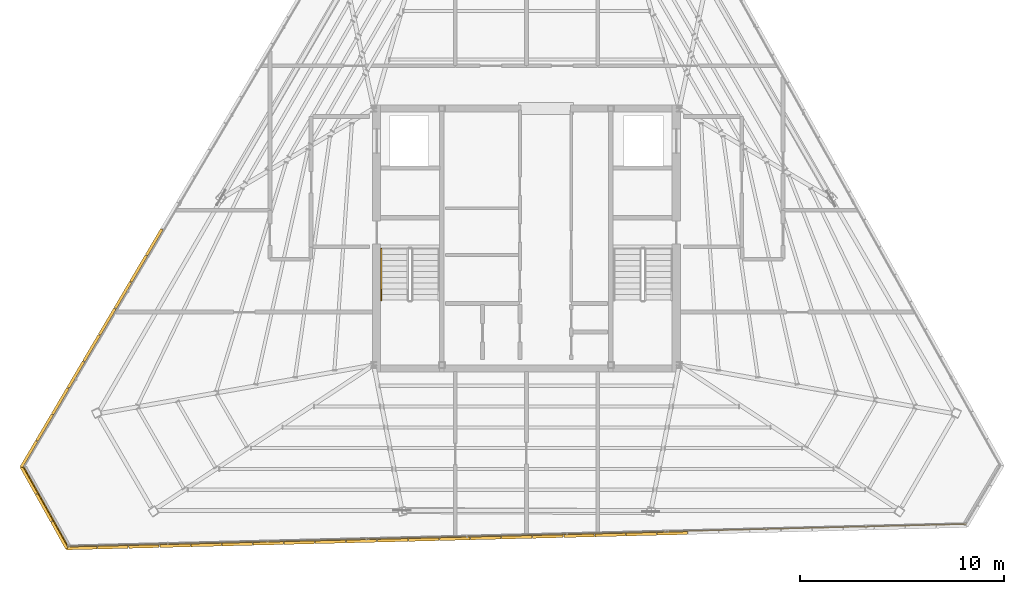
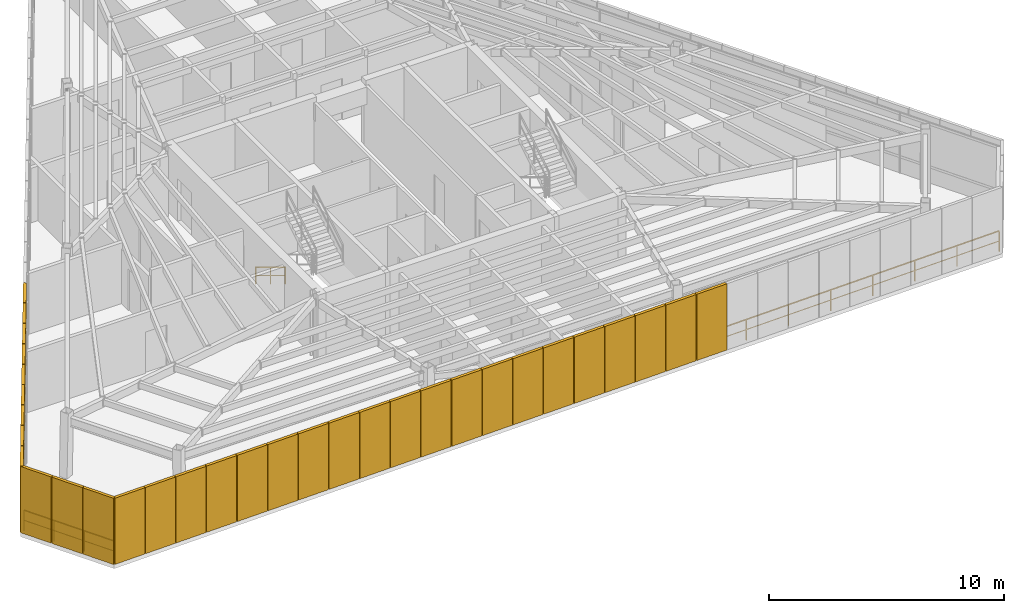
# One storey, part 46 of 48: 32 shading devices, 3 railings.
"""IFC4 building model written with IfcOpenShell, lengths in metres."""

from ifc_helpers import new_model, si_unit, direction, frame, origin, origin_2d, place, context, subcontext, project, spatial, rectangle, extrude, source, transform, mapped, material, layer, layer_set, type_object, type_shapes, element, save


model = new_model("IFC4")

# Units and contexts
model_context = context("Model", 3, precision=1e-05, world=origin(), true_north=direction((0.0, 1.0)))
body_context = subcontext(model_context, "Body", "Model", "MODEL_VIEW")
ifc_project = project(units=[si_unit("LENGTHUNIT", "METRE"), si_unit("AREAUNIT", "SQUARE_METRE"), si_unit("VOLUMEUNIT", "CUBIC_METRE"), si_unit("PLANEANGLEUNIT", "RADIAN"), si_unit("MASSUNIT", "GRAM", prefix="KILO")], contexts=[model_context])

# Site, building, storey
site_placement = place(None, origin())
site = spatial("IfcSite", under=ifc_project, at=site_placement, CompositionType="ELEMENT")
building_placement = place(site_placement, origin())
building = spatial("IfcBuilding", under=site, at=building_placement, Name="Caelisora Broadcast Tower", CompositionType="ELEMENT")
storey_placement = place(building_placement, frame((0.0, 0.0, 300.0)))
storey = spatial("IfcBuildingStorey", under=building, at=storey_placement, Name="L79", CompositionType="ELEMENT", Elevation=300.0)

# Railings
ifc_material_1 = material(Name="Galvanised Steel Safety Guardrail", Category="steel")
ifc_layer_1 = layer(ifc_material_1, 0.048095703125, Name="Galvanised Steel Safety Guardrail")
ifc_layer_set_1 = layer_set([ifc_layer_1], Name="Galvanised Steel Safety Guardrail")
railing_type_1 = type_object("IfcRailingType", Name="GR-1", PredefinedType="GUARDRAIL", material=ifc_layer_set_1)
railing_1_placement = place(storey_placement, frame((59.5791015625, 9.58203125, 0.0)))
element("IfcRailing", 1, at=railing_1_placement, inside=storey, type_object=railing_type_1, Name="L79 balustrade GR-1 #03", PredefinedType="GUARDRAIL", context=body_context, shape_type="SweptSolid", body=[
    extrude(rectangle(XDim=0.048095703125, YDim=0.048095703125, at=origin_2d()), frame((0.0, 0.0, 1.076171875), z_axis=(-0.99969244662, -0.024799438939, 0.0), x_axis=(0.024799438939, -0.99969244662, 0.0)), (0.0, 0.0, 1.0), 44.11376953125),
    extrude(rectangle(XDim=0.03125, YDim=0.03125, at=origin_2d()), frame((0.0, 0.0, 0.550048828125), z_axis=(-0.99969244662, -0.024799438939, 0.0), x_axis=(0.024799438939, -0.99969244662, 0.0)), (0.0, 0.0, 1.0), 44.11376953125),
    extrude(rectangle(XDim=0.0419921875, YDim=0.0419921875, at=origin_2d()), origin(), (0.0, 0.0, 1.0), 1.052001953125),
    extrude(rectangle(XDim=0.0419921875, YDim=0.0419921875, at=origin_2d()), frame((-2.10009765625, -0.052001953125, 0.0)), (0.0, 0.0, 1.0), 1.052001953125),
    extrude(rectangle(XDim=0.0419921875, YDim=0.0419921875, at=origin_2d()), frame((-4.199951171875, -0.104248046875, 0.0)), (0.0, 0.0, 1.0), 1.052001953125),
    extrude(rectangle(XDim=0.0419921875, YDim=0.0419921875, at=origin_2d()), frame((-6.300048828125, -0.15625, 0.0)), (0.0, 0.0, 1.0), 1.052001953125),
    extrude(rectangle(XDim=0.0419921875, YDim=0.0419921875, at=origin_2d()), frame((-8.39990234375, -0.20849609375, 0.0)), (0.0, 0.0, 1.0), 1.052001953125),
    extrude(rectangle(XDim=0.0419921875, YDim=0.0419921875, at=origin_2d()), frame((-10.5, -0.260498046875, 0.0)), (0.0, 0.0, 1.0), 1.052001953125),
    extrude(rectangle(XDim=0.0419921875, YDim=0.0419921875, at=origin_2d()), frame((-12.60009765625, -0.3125, 0.0)), (0.0, 0.0, 1.0), 1.052001953125),
    extrude(rectangle(XDim=0.0419921875, YDim=0.0419921875, at=origin_2d()), frame((-14.699951171875, -0.36474609375, 0.0)), (0.0, 0.0, 1.0), 1.052001953125),
    extrude(rectangle(XDim=0.0419921875, YDim=0.0419921875, at=origin_2d()), frame((-16.800048828125, -0.416748046875, 0.0)), (0.0, 0.0, 1.0), 1.052001953125),
    extrude(rectangle(XDim=0.0419921875, YDim=0.0419921875, at=origin_2d()), frame((-18.900146484375, -0.46875, 0.0)), (0.0, 0.0, 1.0), 1.052001953125),
    extrude(rectangle(XDim=0.0419921875, YDim=0.0419921875, at=origin_2d()), frame((-21.0, -0.52099609375, 0.0)), (0.0, 0.0, 1.0), 1.052001953125),
    extrude(rectangle(XDim=0.0419921875, YDim=0.0419921875, at=origin_2d()), frame((-23.10009765625, -0.572998046875, 0.0)), (0.0, 0.0, 1.0), 1.052001953125),
    extrude(rectangle(XDim=0.0419921875, YDim=0.0419921875, at=origin_2d()), frame((-25.199951171875, -0.625244140625, 0.0)), (0.0, 0.0, 1.0), 1.052001953125),
    extrude(rectangle(XDim=0.0419921875, YDim=0.0419921875, at=origin_2d()), frame((-27.300048828125, -0.67724609375, 0.0)), (0.0, 0.0, 1.0), 1.052001953125),
    extrude(rectangle(XDim=0.0419921875, YDim=0.0419921875, at=origin_2d()), frame((-29.400146484375, -0.729248046875, 0.0)), (0.0, 0.0, 1.0), 1.052001953125),
    extrude(rectangle(XDim=0.0419921875, YDim=0.0419921875, at=origin_2d()), frame((-31.5, -0.781494140625, 0.0)), (0.0, 0.0, 1.0), 1.052001953125),
    extrude(rectangle(XDim=0.0419921875, YDim=0.0419921875, at=origin_2d()), frame((-33.60009765625, -0.83349609375, 0.0)), (0.0, 0.0, 1.0), 1.052001953125),
    extrude(rectangle(XDim=0.0419921875, YDim=0.0419921875, at=origin_2d()), frame((-35.7001953125, -0.885498046875, 0.0)), (0.0, 0.0, 1.0), 1.052001953125),
    extrude(rectangle(XDim=0.0419921875, YDim=0.0419921875, at=origin_2d()), frame((-37.800048828125, -0.937744140625, 0.0)), (0.0, 0.0, 1.0), 1.052001953125),
    extrude(rectangle(XDim=0.0419921875, YDim=0.0419921875, at=origin_2d()), frame((-39.900146484375, -0.98974609375, 0.0)), (0.0, 0.0, 1.0), 1.052001953125),
    extrude(rectangle(XDim=0.0419921875, YDim=0.0419921875, at=origin_2d()), frame((-42.0, -1.0419921875, 0.0)), (0.0, 0.0, 1.0), 1.052001953125),
    extrude(rectangle(XDim=0.0419921875, YDim=0.0419921875, at=origin_2d()), frame((-44.10009765625, -1.093994140625, 0.0)), (0.0, 0.0, 1.0), 1.052001953125),
])
railing_2_placement = place(storey_placement, frame((15.47900390625, 8.488037109375, 0.0)))
element("IfcRailing", 2, at=railing_2_placement, inside=storey, type_object=railing_type_1, Name="L79 balustrade GR-1 #04", PredefinedType="GUARDRAIL", context=body_context, shape_type="SweptSolid", body=[
    extrude(rectangle(XDim=0.048095703125, YDim=0.048095703125, at=origin_2d()), frame((0.0, 0.0, 1.076171875), z_axis=(-0.487438887683, 0.873157105436, 0.0), x_axis=(-0.873157105436, -0.487438887683, 0.0)), (0.0, 0.0, 1.0), 4.464111328125),
    extrude(rectangle(XDim=0.03125, YDim=0.03125, at=origin_2d()), frame((0.0, 0.0, 0.550048828125), z_axis=(-0.487438887683, 0.873157105436, 0.0), x_axis=(-0.873157105436, -0.487438887683, 0.0)), (0.0, 0.0, 1.0), 4.464111328125),
    extrude(rectangle(XDim=0.0419921875, YDim=0.0419921875, at=origin_2d()), origin(), (0.0, 0.0, 1.0), 1.052001953125),
    extrude(rectangle(XDim=0.0419921875, YDim=0.0419921875, at=origin_2d()), frame((-0.725341796875, 1.29931640625, 0.0)), (0.0, 0.0, 1.0), 1.052001953125),
    extrude(rectangle(XDim=0.0419921875, YDim=0.0419921875, at=origin_2d()), frame((-1.45068359375, 2.5986328125, 0.0)), (0.0, 0.0, 1.0), 1.052001953125),
    extrude(rectangle(XDim=0.0419921875, YDim=0.0419921875, at=origin_2d()), frame((-2.176025390625, 3.89794921875, 0.0)), (0.0, 0.0, 1.0), 1.052001953125),
])
ifc_material_2 = material(Name="Stainless Steel Grade 316 Tubular Handrail", Category="steel")
ifc_layer_2 = layer(ifc_material_2, 0.048095703125, Name="Stainless Steel Grade 316 Tubular Handrail")
ifc_layer_set_2 = layer_set([ifc_layer_2], Name="Stainless Steel Grade 316 Tubular Handrail")
railing_type_2 = type_object("IfcRailingType", Name="HR-1", PredefinedType="HANDRAIL", material=ifc_layer_set_2)
railing_3_placement = place(storey_placement, frame((30.8701171875, 23.10009765625, 0.169921875)))
element("IfcRailing", 3, at=railing_3_placement, inside=storey, type_object=railing_type_2, Name="L79 ST-1 stair handrail 1", PredefinedType="HANDRAIL", context=body_context, shape_type="SweptSolid", body=[
    extrude(rectangle(XDim=0.048095703125, YDim=0.048095703125, at=origin_2d()), frame((0.0, 0.0, 0.8759765625), z_axis=(0.0, -0.85478489116, 0.518982456201), x_axis=(1.0, 0.0, 0.0)), (0.0, 0.0, 1.0), 2.9482421875),
    extrude(rectangle(XDim=0.03125, YDim=0.03125, at=origin_2d()), frame((0.0, 0.0, 0.449951171875), z_axis=(0.0, -0.85478489116, 0.518982456201), x_axis=(1.0, 0.0, 0.0)), (0.0, 0.0, 1.0), 2.9482421875),
    extrude(rectangle(XDim=0.0419921875, YDim=0.0419921875, at=origin_2d()), origin(), (0.0, 0.0, 1.0), 0.851806640625),
    extrude(rectangle(XDim=0.0419921875, YDim=0.0419921875, at=origin_2d()), frame((0.0, -1.260009765625, 0.76513671875)), (0.0, 0.0, 1.0), 0.851806640625),
    extrude(rectangle(XDim=0.0419921875, YDim=0.0419921875, at=origin_2d()), frame((0.0, -2.52001953125, 1.530029296875)), (0.0, 0.0, 1.0), 0.851806640625),
])

# Shading devices
ifc_material_3 = material(Name="Anodised Terracotta Aluminium Acoustic Louvre", Category="aluminium")
ifc_layer_3 = layer(ifc_material_3, 0.139892578125, Name="Anodised Terracotta Aluminium Acoustic Louvre")
ifc_layer_set_3 = layer_set([ifc_layer_3], Name="Anodised Terracotta Aluminium Acoustic Louvre")
shading_device_type = type_object("IfcShadingDeviceType", Name="LV-1", PredefinedType="JALOUSIE", material=ifc_layer_set_3)
shared_shape_1 = source(origin(), body_context, "Body", "SweptSolid", [
    extrude(rectangle(XDim=1.482177734375, YDim=0.139892578125, at=origin_2d()), origin(), (0.0, 0.0, 1.0), 3.43994140625),
])
for number, where, z_axis, x_axis, name in (
    (4, (19.71630859375, 23.43212890625, -0.02001953125), (0.0, 0.0, 1.0), (-0.508891180174, -0.860830858381, 0.0), "L79 crown acoustic louvre #025"),
    (5, (18.947021484375, 22.13037109375, -0.02001953125), (0.0, 0.0, 1.0), (-0.508891180174, -0.860830858381, 0.0), "L79 crown acoustic louvre #026"),
    (6, (18.177490234375, 20.82861328125, -0.02001953125), (0.0, 0.0, 1.0), (-0.508891180174, -0.860830858381, 0.0), "L79 crown acoustic louvre #027"),
    (7, (17.408203125, 19.527099609375, -0.02001953125), (0.0, 0.0, 1.0), (-0.508891180174, -0.860830858381, 0.0), "L79 crown acoustic louvre #028"),
    (8, (16.638671875, 18.225341796875, -0.02001953125), (0.0, 0.0, 1.0), (-0.508891180174, -0.860830858381, 0.0), "L79 crown acoustic louvre #029"),
    (9, (15.869384765625, 16.923583984375, -0.02001953125), (0.0, 0.0, 1.0), (-0.508891180174, -0.860830858381, 0.0), "L79 crown acoustic louvre #030"),
    (10, (15.099853515625, 15.621826171875, -0.02001953125), (0.0, 0.0, 1.0), (-0.508891180174, -0.860830858381, 0.0), "L79 crown acoustic louvre #031"),
    (11, (14.33056640625, 14.3203125, -0.02001953125), (0.0, 0.0, 1.0), (-0.508891180174, -0.860830858381, 0.0), "L79 crown acoustic louvre #032"),
    (12, (13.56103515625, 13.0185546875, -0.02001953125), (0.0, 0.0, 1.0), (-0.508891180174, -0.860830858381, 0.0), "L79 crown acoustic louvre #033"),
):
    element("IfcShadingDevice", number, at=place(storey_placement, frame(where, z_axis=z_axis, x_axis=x_axis)), inside=storey, type_object=shading_device_type, Name=name, PredefinedType="JALOUSIE", context=body_context, shape_type="MappedRepresentation", body=[
        mapped(shared_shape_1, transform((0.0, 0.0, 0.0), scale=1.0)),
    ])
shared_shape_2 = source(origin(), body_context, "Body", "SweptSolid", [
    extrude(rectangle(XDim=1.512939453125, YDim=0.139892578125, at=origin_2d()), origin(), (0.0, 0.0, 1.0), 3.43994140625),
])
for number, where, z_axis, x_axis, name in (
    (13, (13.552978515625, 11.73388671875, -0.02001953125), (0.0, 0.0, 1.0), (0.487402531354, -0.87317740032, 0.0), "L79 crown acoustic louvre #034"),
    (14, (14.304931640625, 10.386474609375, -0.02001953125), (0.0, 0.0, 1.0), (0.487402531354, -0.87317740032, 0.0), "L79 crown acoustic louvre #035"),
    (15, (15.056884765625, 9.039306640625, -0.02001953125), (0.0, 0.0, 1.0), (0.487402531354, -0.87317740032, 0.0), "L79 crown acoustic louvre #036"),
):
    element("IfcShadingDevice", number, at=place(storey_placement, frame(where, z_axis=z_axis, x_axis=x_axis)), inside=storey, type_object=shading_device_type, Name=name, PredefinedType="JALOUSIE", context=body_context, shape_type="MappedRepresentation", body=[
        mapped(shared_shape_2, transform((0.0, 0.0, 0.0), scale=1.0)),
    ])
shared_shape_3 = source(origin(), body_context, "Body", "SweptSolid", [
    extrude(rectangle(XDim=1.49658203125, YDim=0.139892578125, at=origin_2d()), origin(), (0.0, 0.0, 1.0), 3.43994140625),
])
type_shapes(shading_device_type, [shared_shape_1, shared_shape_2, shared_shape_3])
for number, where, z_axis, x_axis, name in (
    (16, (16.16015625, 8.40478515625, -0.02001953125), (0.0, 0.0, 1.0), (0.999692900437, 0.024781138308, 0.0), "L79 crown acoustic louvre #037"),
    (17, (17.686279296875, 8.44287109375, -0.02001953125), (0.0, 0.0, 1.0), (0.999692900437, 0.024781138308, 0.0), "L79 crown acoustic louvre #038"),
    (18, (19.212646484375, 8.480712890625, -0.02001953125), (0.0, 0.0, 1.0), (0.999692900437, 0.024781138308, 0.0), "L79 crown acoustic louvre #039"),
    (19, (20.739013671875, 8.5185546875, -0.02001953125), (0.0, 0.0, 1.0), (0.999692900437, 0.024781138308, 0.0), "L79 crown acoustic louvre #040"),
    (20, (22.26513671875, 8.556396484375, -0.02001953125), (0.0, 0.0, 1.0), (0.999692900437, 0.024781138308, 0.0), "L79 crown acoustic louvre #041"),
    (21, (23.79150390625, 8.59423828125, -0.02001953125), (0.0, 0.0, 1.0), (0.999692900437, 0.024781138308, 0.0), "L79 crown acoustic louvre #042"),
    (22, (25.31787109375, 8.632080078125, -0.02001953125), (0.0, 0.0, 1.0), (0.999692900437, 0.024781138308, 0.0), "L79 crown acoustic louvre #043"),
    (23, (26.843994140625, 8.669921875, -0.02001953125), (0.0, 0.0, 1.0), (0.999692900437, 0.024781138308, 0.0), "L79 crown acoustic louvre #044"),
    (24, (28.370361328125, 8.707763671875, -0.02001953125), (0.0, 0.0, 1.0), (0.999692900437, 0.024781138308, 0.0), "L79 crown acoustic louvre #045"),
    (25, (29.896484375, 8.74560546875, -0.02001953125), (0.0, 0.0, 1.0), (0.999692900437, 0.024781138308, 0.0), "L79 crown acoustic louvre #046"),
    (26, (31.4228515625, 8.783447265625, -0.02001953125), (0.0, 0.0, 1.0), (0.999692900437, 0.024781138308, 0.0), "L79 crown acoustic louvre #047"),
    (27, (32.94921875, 8.8212890625, -0.02001953125), (0.0, 0.0, 1.0), (0.999692900437, 0.024781138308, 0.0), "L79 crown acoustic louvre #048"),
    (28, (34.4755859375, 8.859375, -0.02001953125), (0.0, 0.0, 1.0), (0.999692900437, 0.024781138308, 0.0), "L79 crown acoustic louvre #049"),
    (29, (36.001708984375, 8.897216796875, -0.02001953125), (0.0, 0.0, 1.0), (0.999692900437, 0.024781138308, 0.0), "L79 crown acoustic louvre #050"),
    (30, (37.528076171875, 8.93505859375, -0.02001953125), (0.0, 0.0, 1.0), (0.999692900437, 0.024781138308, 0.0), "L79 crown acoustic louvre #051"),
    (31, (39.05419921875, 8.972900390625, -0.02001953125), (0.0, 0.0, 1.0), (0.999692900437, 0.024781138308, 0.0), "L79 crown acoustic louvre #052"),
    (32, (40.58056640625, 9.0107421875, -0.02001953125), (0.0, 0.0, 1.0), (0.999692900437, 0.024781138308, 0.0), "L79 crown acoustic louvre #053"),
    (33, (42.106689453125, 9.048583984375, -0.02001953125), (0.0, 0.0, 1.0), (0.999692900437, 0.024781138308, 0.0), "L79 crown acoustic louvre #054"),
    (34, (43.633056640625, 9.08642578125, -0.02001953125), (0.0, 0.0, 1.0), (0.999692900437, 0.024781138308, 0.0), "L79 crown acoustic louvre #055"),
    (35, (45.159423828125, 9.124267578125, -0.02001953125), (0.0, 0.0, 1.0), (0.999692900437, 0.024781138308, 0.0), "L79 crown acoustic louvre #056"),
):
    element("IfcShadingDevice", number, at=place(storey_placement, frame(where, z_axis=z_axis, x_axis=x_axis)), inside=storey, type_object=shading_device_type, Name=name, PredefinedType="JALOUSIE", context=body_context, shape_type="MappedRepresentation", body=[
        mapped(shared_shape_3, transform((0.0, 0.0, 0.0), scale=1.0)),
    ])

save(model, "model.ifc")
